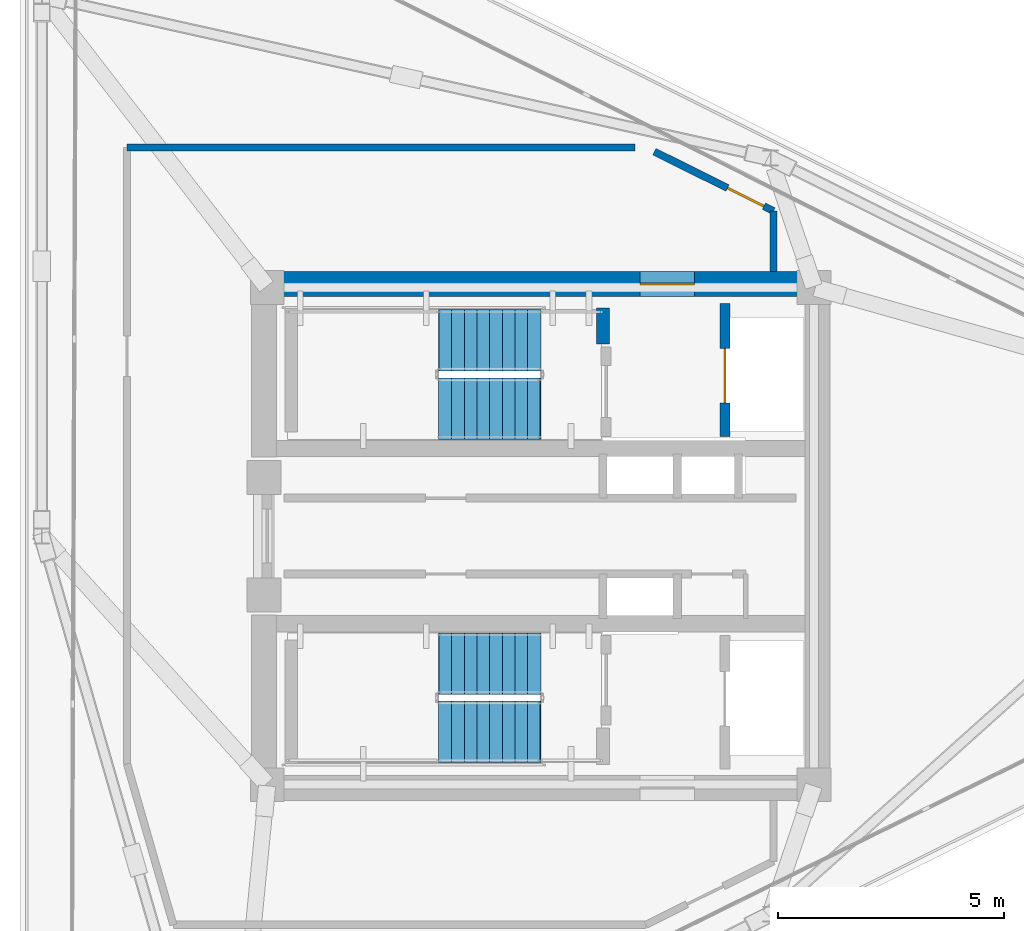
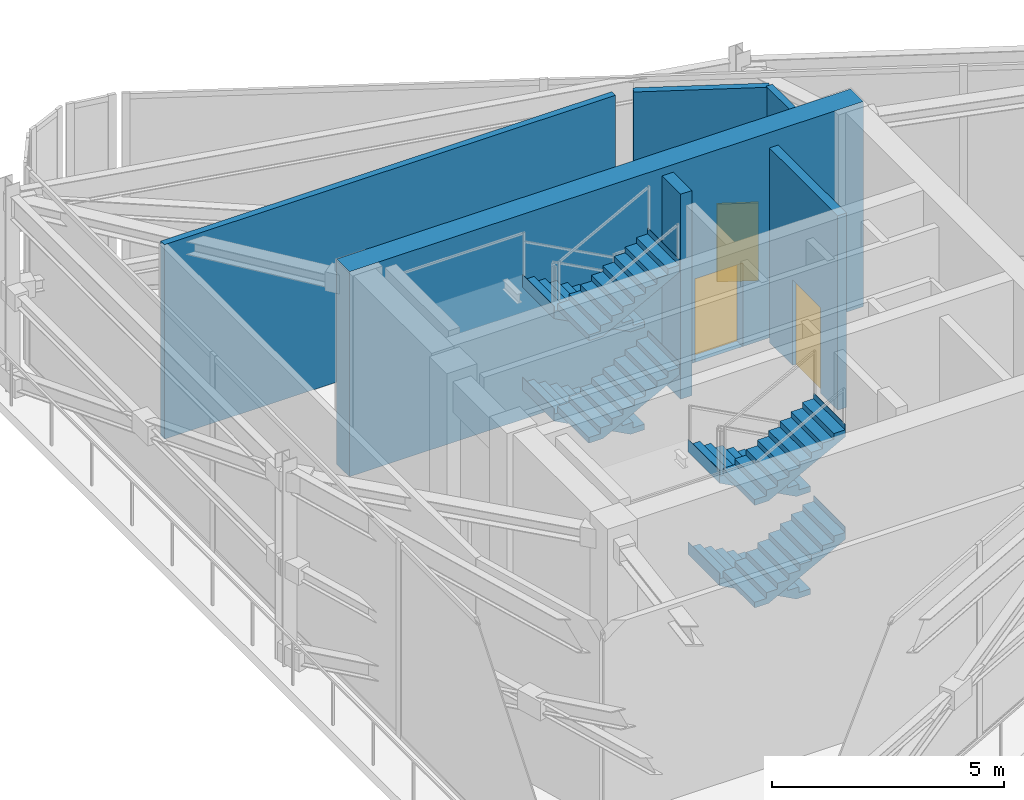
# One storey, part 5 of 9: 8 stair flights, 6 walls, 3 doors, 3 openings, 2 elements without a shape of their own.
"""IFC4 building model written with IfcOpenShell, lengths in metres."""

from ifc_helpers import new_model, si_unit, direction, frame, frame_2d, origin, place, context, subcontext, project, spatial, polyline, rectangle, outline, extrude, material, layer, layer_set, type_object, element, fill, aggregate, save


model = new_model("IFC4")

# Units and contexts
model_context = context("Model", 3, precision=1e-05, world=origin(), true_north=direction((0.0, 1.0)))
body_context = subcontext(model_context, "Body", "Model", "MODEL_VIEW")
ifc_project = project(units=[si_unit("LENGTHUNIT", "METRE"), si_unit("AREAUNIT", "SQUARE_METRE"), si_unit("VOLUMEUNIT", "CUBIC_METRE"), si_unit("PLANEANGLEUNIT", "RADIAN"), si_unit("MASSUNIT", "GRAM", prefix="KILO")], contexts=[model_context])

# Site, building, storey
site_placement = place(None, origin())
site = spatial("IfcSite", under=ifc_project, at=site_placement, CompositionType="ELEMENT")
building_placement = place(site_placement, origin())
building = spatial("IfcBuilding", under=site, at=building_placement, Name="Yunling Apex Tower", CompositionType="ELEMENT")
storey_placement = place(building_placement, frame((0.0, 0.0, 317.449951171875)))
storey = spatial("IfcBuildingStorey", under=building, at=storey_placement, Name="C01", CompositionType="ELEMENT", Elevation=317.449951171875)

# Wall, opening, door
ifc_material_1 = material(Name="Concrete C40", Category="concrete")
ifc_layer_1 = layer(ifc_material_1, 0.550048828125)
ifc_layer_set_1 = layer_set([ifc_layer_1], Name="Concrete C40")
wall_type_1 = type_object("IfcWallType", Name="WL-COR-3", PredefinedType="SHEAR", material=ifc_layer_set_1)
wall_1_placement = place(storey_placement, frame((-6.39990234375, 5.574951171875, 0.0), z_axis=(0.0, 0.0, 1.0), x_axis=(1.0, 0.0, 0.0)))
wall_1 = element("IfcWall", 1, at=wall_1_placement, inside=storey, type_object=wall_type_1, Name="C01 North Core Shear Wall", PredefinedType="SHEAR", context=body_context, shape_type="SweptSolid", body=[
    extrude(rectangle(XDim=12.7998046875, YDim=0.550048828125, at=frame_2d((6.39990234375, 0.0))), origin(), (0.0, 0.0, 1.0), 5.400146484375),
])
opening_1_placement = place(wall_1_placement, frame((8.60009765625, 0.0, 0.0)))
opening_1 = element("IfcOpeningElement", 2, at=opening_1_placement, cuts=wall_1, Name="Opening DR-FFL-1", PredefinedType="OPENING", context=body_context, shape_type="SweptSolid", body=[
    extrude(rectangle(XDim=1.199951171875, YDim=2.199951171875, at=frame_2d((0.60009765625, 1.10009765625))), frame((0.0, 0.28515625, 0.0), z_axis=(0.0, -1.0, 0.0), x_axis=(1.0, 0.0, 0.0)), (0.0, 0.0, 1.0), 0.570068359375),
])
ifc_material_2 = material(Name="Steel Q355B", Category="steel")
door_type_1 = type_object("IfcDoorType", Name="DR-FFL-1", OperationType="NOTDEFINED", PredefinedType="DOOR", material=ifc_material_2)
door_1_placement = place(opening_1_placement, origin())
door_1 = element("IfcDoor", 3, at=door_1_placement, inside=storey, type_object=door_type_1, Name="C01 North Firefighting Lobby Door", OperationType="SINGLE_SWING_LEFT", OverallHeight=2.199951171875, OverallWidth=1.199951171875, PredefinedType="DOOR", context=body_context, shape_type="SweptSolid", body=[
    extrude(rectangle(XDim=1.199951171875, YDim=2.199951171875, at=frame_2d((0.60009765625, 1.10009765625))), frame((0.0, 0.02490234375, 0.0), z_axis=(0.0, -1.0, 0.0), x_axis=(1.0, 0.0, 0.0)), (0.0, 0.0, 1.0), 0.050048828125),
])
fill(opening_1, door_1)

# Walls
ifc_layer_2 = layer(ifc_material_1, 0.280029296875)
ifc_layer_set_2 = layer_set([ifc_layer_2], Name="Concrete C40")
wall_type_2 = type_object("IfcWallType", Name="WL-COR-8", PredefinedType="SHEAR", material=ifc_layer_set_2)
wall_2_placement = place(storey_placement, frame((1.3798828125, 4.25, 0.0), z_axis=(0.0, 0.0, 1.0), x_axis=(0.0, 1.0, 0.0)))
element("IfcWall", 4, at=wall_2_placement, inside=storey, type_object=wall_type_2, Name="C01 ST-1 East Landing Bearing Pier", PredefinedType="SHEAR", context=body_context, shape_type="SweptSolid", body=[
    extrude(rectangle(XDim=0.800048828125, YDim=0.280029296875, at=frame_2d((0.39990234375, 0.0))), origin(), (0.0, 0.0, 1.0), 5.400146484375),
])
ifc_material_3 = material(Name="Gypsum board acoustic partition")
ifc_layer_3 = layer(ifc_material_3, 0.159912109375)
ifc_layer_set_3 = layer_set([ifc_layer_3], Name="Gypsum board acoustic partition")
wall_type_3 = type_object("IfcWallType", Name="WL-PRT-1", PredefinedType="PARTITIONING", material=ifc_layer_set_3)
wall_3_placement = place(storey_placement, frame((-9.14990234375, 8.60009765625, 0.0), z_axis=(0.0, 0.0, 1.0), x_axis=(1.0, 0.0, 0.0)))
element("IfcWall", 5, at=wall_3_placement, inside=storey, type_object=wall_type_3, Name="WL-C01-CPCR-03", PredefinedType="PARTITIONING", context=body_context, shape_type="SweptSolid", body=[
    extrude(rectangle(XDim=11.237060546875, YDim=0.159912109375, at=frame_2d((5.61865234375, 0.0))), origin(), (0.0, 0.0, 1.0), 5.1201171875),
])

# Wall, opening, door
wall_4_placement = place(storey_placement, frame((2.518310546875, 8.50439453125, 0.0), z_axis=(0.0, 0.0, 1.0), x_axis=(0.895206507412, -0.445651555689, 0.0)))
wall_4 = element("IfcWall", 6, at=wall_4_placement, inside=storey, type_object=wall_type_3, Name="WL-C01-CPCR-05", PredefinedType="PARTITIONING", context=body_context, shape_type="SweptSolid", body=[
    extrude(rectangle(XDim=2.939697265625, YDim=0.159912109375, at=frame_2d((1.4697265625, 0.0))), origin(), (0.0, 0.0, 1.0), 5.1201171875),
])
opening_2_placement = place(wall_4_placement, frame((1.8037109375, 0.0, 0.0)))
opening_2 = element("IfcOpeningElement", 7, at=opening_2_placement, cuts=wall_4, Name="Opening DR-SHF-1", PredefinedType="OPENING", context=body_context, shape_type="SweptSolid", body=[
    extrude(rectangle(XDim=0.89990234375, YDim=2.050048828125, at=frame_2d((0.449951171875, 1.02490234375))), frame((0.0, 0.08984375, 0.0), z_axis=(0.0, -1.0, 0.0), x_axis=(1.0, 0.0, 0.0)), (0.0, 0.0, 1.0), 0.179931640625),
])
door_type_2 = type_object("IfcDoorType", Name="DR-SHF-1", OperationType="NOTDEFINED", PredefinedType="DOOR", material=ifc_material_2)
door_2_placement = place(opening_2_placement, origin())
door_2 = element("IfcDoor", 8, at=door_2_placement, inside=storey, type_object=door_type_2, Name="C01 Enclosed Heat-Rejection Cooling Tower Plant Room Door", OperationType="SINGLE_SWING_LEFT", OverallHeight=2.050048828125, OverallWidth=0.89990234375, PredefinedType="DOOR", context=body_context, shape_type="SweptSolid", body=[
    extrude(rectangle(XDim=0.89990234375, YDim=2.050048828125, at=frame_2d((0.449951171875, 1.02490234375))), frame((0.0, 0.02490234375, 0.0), z_axis=(0.0, -1.0, 0.0), x_axis=(1.0, 0.0, 0.0)), (0.0, 0.0, 1.0), 0.050048828125),
])
fill(opening_2, door_2)

# Wall
wall_5_placement = place(storey_placement, frame((5.14990234375, 7.1943359375, 0.0), z_axis=(0.0, 0.0, 1.0), x_axis=(0.0, -1.0, 0.0)))
element("IfcWall", 9, at=wall_5_placement, inside=storey, type_object=wall_type_3, Name="WL-C01-CPCR-06", PredefinedType="PARTITIONING", context=body_context, shape_type="SweptSolid", body=[
    extrude(rectangle(XDim=1.34423828125, YDim=0.159912109375, at=frame_2d((0.672119140625, 0.0))), origin(), (0.0, 0.0, 1.0), 5.1201171875),
])

# Wall, opening, door
ifc_material_4 = material(Name="Autoclaved aerated concrete masonry", Category="masonry")
ifc_layer_4 = layer(ifc_material_4, 0.219970703125)
ifc_layer_set_4 = layer_set([ifc_layer_4], Name="Autoclaved aerated concrete masonry")
wall_type_4 = type_object("IfcWallType", Name="WL-SHF-1", PredefinedType="PLUMBINGWALL", material=ifc_layer_set_4)
wall_6_placement = place(storey_placement, frame((4.080078125, 2.199951171875, 0.0), z_axis=(0.0, 0.0, 1.0), x_axis=(0.0, 1.0, 0.0)))
wall_6 = element("IfcWall", 10, at=wall_6_placement, inside=storey, type_object=wall_type_4, Name="WL-FFL1-W-C01", PredefinedType="PLUMBINGWALL", context=body_context, shape_type="SweptSolid", body=[
    extrude(rectangle(XDim=2.949951171875, YDim=0.219970703125, at=frame_2d((1.47509765625, 0.0))), origin(), (0.0, 0.0, 1.0), 5.1201171875),
])
opening_3_placement = place(wall_6_placement, frame((0.75, 0.0, 0.0)))
opening_3 = element("IfcOpeningElement", 11, at=opening_3_placement, cuts=wall_6, Name="Opening LD-FFL-1", PredefinedType="OPENING", context=body_context, shape_type="SweptSolid", body=[
    extrude(rectangle(XDim=1.199951171875, YDim=2.25, at=frame_2d((0.60009765625, 1.125))), frame((0.0, 0.1201171875, 0.0), z_axis=(0.0, -1.0, 0.0), x_axis=(1.0, 0.0, 0.0)), (0.0, 0.0, 1.0), 0.239990234375),
])
door_type_3 = type_object("IfcDoorType", Name="LD-FFL-1", OperationType="DOUBLE_DOOR_SLIDING", PredefinedType="DOOR", material=ifc_material_2)
door_3_placement = place(opening_3_placement, origin())
door_3 = element("IfcDoor", 12, at=door_3_placement, inside=storey, type_object=door_type_3, Name="C01 Lift FFL-1 Landing Door", OperationType="DOUBLE_DOOR_SLIDING", OverallHeight=2.25, OverallWidth=1.199951171875, PredefinedType="DOOR", context=body_context, shape_type="SweptSolid", body=[
    extrude(rectangle(XDim=1.199951171875, YDim=2.25, at=frame_2d((0.60009765625, 1.125))), frame((0.0, 0.02490234375, 0.0), z_axis=(0.0, -1.0, 0.0), x_axis=(1.0, 0.0, 0.0)), (0.0, 0.0, 1.0), 0.050048828125),
])
fill(opening_3, door_3)

# Stair, stair flights
stair_type = type_object("IfcStairType", Name="ST-TWR-1", PredefinedType="HALF_TURN_STAIR", material=ifc_material_1)
stair_1_placement = place(storey_placement, origin())
stair_1 = element("IfcStair", 13, at=stair_1_placement, inside=storey, type_object=stair_type, Name="C01 North Core Smokeproof Exit Stair ST-1", PredefinedType="HALF_TURN_STAIR")
stair_flight_type = type_object("IfcStairFlightType", Name="SFL-TWR-1", PredefinedType="STRAIGHT", material=ifc_material_1)
stair_flight_1_placement = place(storey_placement, frame((-0.010009765625, 4.330078125, 0.0), z_axis=(0.0, 0.0, 1.0), x_axis=(-1.0, 0.0, 0.0)))
stair_flight_1 = element("IfcStairFlight", 14, at=stair_flight_1_placement, type_object=stair_flight_type, Name="ST-1 flight 1", NumberOfRisers=9, NumberOfTreads=8, PredefinedType="STRAIGHT", RiserHeight=0.15, TreadLength=0.28, context=body_context, shape_type="SweptSolid", body=[
    extrude(outline(polyline([(-0.011962890625, 0.0), (-0.011962890625, 0.14990234375), (0.0, 0.14990234375), (0.280029296875, 0.14990234375), (0.280029296875, 0.300048828125), (0.56005859375, 0.300048828125), (0.56005859375, 0.449951171875), (0.840087890625, 0.449951171875), (0.840087890625, 0.60009765625), (1.1201171875, 0.60009765625), (1.1201171875, 0.75), (1.39990234375, 0.75), (1.39990234375, 0.89990234375), (1.679931640625, 0.89990234375), (1.679931640625, 1.050048828125), (1.9599609375, 1.050048828125), (1.9599609375, 1.199951171875), (2.239990234375, 1.199951171875), (2.239990234375, 1.35009765625), (2.251953125, 1.35009765625), (2.251953125, 1.0185546875), (0.338623046875, 0.0), (-0.011962890625, 0.0)])), frame((0.0, 0.68017578125, 0.0), z_axis=(0.0, -1.0, 0.0), x_axis=(1.0, 0.0, 0.0)), (0.0, 0.0, 1.0), 1.360107421875),
])
stair_flight_2_placement = place(storey_placement, frame((-2.25, 2.820068359375, 1.35009765625), z_axis=(0.0, 0.0, 1.0), x_axis=(1.0, 0.0, 0.0)))
stair_flight_2 = element("IfcStairFlight", 15, at=stair_flight_2_placement, type_object=stair_flight_type, Name="ST-1 flight 2", NumberOfRisers=9, NumberOfTreads=8, PredefinedType="STRAIGHT", RiserHeight=0.15, TreadLength=0.28, context=body_context, shape_type="SweptSolid", body=[
    extrude(outline(polyline([(-0.011962890625, 0.0), (-0.011962890625, 0.14990234375), (0.0, 0.14990234375), (0.280029296875, 0.14990234375), (0.280029296875, 0.300048828125), (0.56005859375, 0.300048828125), (0.56005859375, 0.449951171875), (0.840087890625, 0.449951171875), (0.840087890625, 0.60009765625), (1.1201171875, 0.60009765625), (1.1201171875, 0.75), (1.39990234375, 0.75), (1.39990234375, 0.89990234375), (1.679931640625, 0.89990234375), (1.679931640625, 1.050048828125), (1.9599609375, 1.050048828125), (1.9599609375, 1.199951171875), (2.239990234375, 1.199951171875), (2.239990234375, 1.35009765625), (2.251953125, 1.35009765625), (2.251953125, 1.0185546875), (0.338623046875, 0.0), (-0.011962890625, 0.0)])), frame((0.0, 0.68017578125, 0.0), z_axis=(0.0, -1.0, 0.0), x_axis=(1.0, 0.0, 0.0)), (0.0, 0.0, 1.0), 1.360107421875),
])
stair_flight_3_placement = place(storey_placement, frame((-0.010009765625, 4.330078125, 2.699951171875), z_axis=(0.0, 0.0, 1.0), x_axis=(-1.0, 0.0, 0.0)))
stair_flight_3 = element("IfcStairFlight", 16, at=stair_flight_3_placement, type_object=stair_flight_type, Name="ST-1 flight 3", NumberOfRisers=9, NumberOfTreads=8, PredefinedType="STRAIGHT", RiserHeight=0.15, TreadLength=0.28, context=body_context, shape_type="SweptSolid", body=[
    extrude(outline(polyline([(-0.011962890625, 0.0), (-0.011962890625, 0.14990234375), (0.0, 0.14990234375), (0.280029296875, 0.14990234375), (0.280029296875, 0.300048828125), (0.56005859375, 0.300048828125), (0.56005859375, 0.449951171875), (0.840087890625, 0.449951171875), (0.840087890625, 0.60009765625), (1.1201171875, 0.60009765625), (1.1201171875, 0.75), (1.39990234375, 0.75), (1.39990234375, 0.89990234375), (1.679931640625, 0.89990234375), (1.679931640625, 1.050048828125), (1.9599609375, 1.050048828125), (1.9599609375, 1.199951171875), (2.239990234375, 1.199951171875), (2.239990234375, 1.35009765625), (2.251953125, 1.35009765625), (2.251953125, 1.0185546875), (0.338623046875, 0.0), (-0.011962890625, 0.0)])), frame((0.0, 0.68017578125, 0.0), z_axis=(0.0, -1.0, 0.0), x_axis=(1.0, 0.0, 0.0)), (0.0, 0.0, 1.0), 1.360107421875),
])
stair_flight_4_placement = place(storey_placement, frame((-2.25, 2.820068359375, 4.050048828125), z_axis=(0.0, 0.0, 1.0), x_axis=(1.0, 0.0, 0.0)))
stair_flight_4 = element("IfcStairFlight", 17, at=stair_flight_4_placement, type_object=stair_flight_type, Name="ST-1 flight 4", NumberOfRisers=9, NumberOfTreads=8, PredefinedType="STRAIGHT", RiserHeight=0.15, TreadLength=0.28, context=body_context, shape_type="SweptSolid", body=[
    extrude(outline(polyline([(-0.011962890625, 0.0), (-0.011962890625, 0.14990234375), (0.0, 0.14990234375), (0.280029296875, 0.14990234375), (0.280029296875, 0.300048828125), (0.56005859375, 0.300048828125), (0.56005859375, 0.449951171875), (0.840087890625, 0.449951171875), (0.840087890625, 0.60009765625), (1.1201171875, 0.60009765625), (1.1201171875, 0.75), (1.39990234375, 0.75), (1.39990234375, 0.89990234375), (1.679931640625, 0.89990234375), (1.679931640625, 1.050048828125), (1.9599609375, 1.050048828125), (1.9599609375, 1.199951171875), (2.239990234375, 1.199951171875), (2.239990234375, 1.35009765625), (2.251953125, 1.35009765625), (2.251953125, 1.0185546875), (0.338623046875, 0.0), (-0.011962890625, 0.0)])), frame((0.0, 0.68017578125, 0.0), z_axis=(0.0, -1.0, 0.0), x_axis=(1.0, 0.0, 0.0)), (0.0, 0.0, 1.0), 1.360107421875),
])
aggregate(stair_1, [stair_flight_1, stair_flight_2, stair_flight_3, stair_flight_4])

stair_2_placement = place(storey_placement, origin())
stair_2 = element("IfcStair", 18, at=stair_2_placement, inside=storey, type_object=stair_type, Name="C01 South Core Smokeproof Exit Stair ST-2", PredefinedType="HALF_TURN_STAIR")
stair_flight_5_placement = place(storey_placement, frame((-0.010009765625, -2.820068359375, 0.0), z_axis=(0.0, 0.0, 1.0), x_axis=(-1.0, 0.0, 0.0)))
stair_flight_5 = element("IfcStairFlight", 19, at=stair_flight_5_placement, type_object=stair_flight_type, Name="ST-2 flight 1", NumberOfRisers=9, NumberOfTreads=8, PredefinedType="STRAIGHT", RiserHeight=0.15, TreadLength=0.28, context=body_context, shape_type="SweptSolid", body=[
    extrude(outline(polyline([(-0.011962890625, 0.0), (-0.011962890625, 0.14990234375), (0.0, 0.14990234375), (0.280029296875, 0.14990234375), (0.280029296875, 0.300048828125), (0.56005859375, 0.300048828125), (0.56005859375, 0.449951171875), (0.840087890625, 0.449951171875), (0.840087890625, 0.60009765625), (1.1201171875, 0.60009765625), (1.1201171875, 0.75), (1.39990234375, 0.75), (1.39990234375, 0.89990234375), (1.679931640625, 0.89990234375), (1.679931640625, 1.050048828125), (1.9599609375, 1.050048828125), (1.9599609375, 1.199951171875), (2.239990234375, 1.199951171875), (2.239990234375, 1.35009765625), (2.251953125, 1.35009765625), (2.251953125, 1.0185546875), (0.338623046875, 0.0), (-0.011962890625, 0.0)])), frame((0.0, 0.68017578125, 0.0), z_axis=(0.0, -1.0, 0.0), x_axis=(1.0, 0.0, 0.0)), (0.0, 0.0, 1.0), 1.360107421875),
])
stair_flight_6_placement = place(storey_placement, frame((-2.25, -4.330078125, 1.35009765625), z_axis=(0.0, 0.0, 1.0), x_axis=(1.0, 0.0, 0.0)))
stair_flight_6 = element("IfcStairFlight", 20, at=stair_flight_6_placement, type_object=stair_flight_type, Name="ST-2 flight 2", NumberOfRisers=9, NumberOfTreads=8, PredefinedType="STRAIGHT", RiserHeight=0.15, TreadLength=0.28, context=body_context, shape_type="SweptSolid", body=[
    extrude(outline(polyline([(-0.011962890625, 0.0), (-0.011962890625, 0.14990234375), (0.0, 0.14990234375), (0.280029296875, 0.14990234375), (0.280029296875, 0.300048828125), (0.56005859375, 0.300048828125), (0.56005859375, 0.449951171875), (0.840087890625, 0.449951171875), (0.840087890625, 0.60009765625), (1.1201171875, 0.60009765625), (1.1201171875, 0.75), (1.39990234375, 0.75), (1.39990234375, 0.89990234375), (1.679931640625, 0.89990234375), (1.679931640625, 1.050048828125), (1.9599609375, 1.050048828125), (1.9599609375, 1.199951171875), (2.239990234375, 1.199951171875), (2.239990234375, 1.35009765625), (2.251953125, 1.35009765625), (2.251953125, 1.0185546875), (0.338623046875, 0.0), (-0.011962890625, 0.0)])), frame((0.0, 0.68017578125, 0.0), z_axis=(0.0, -1.0, 0.0), x_axis=(1.0, 0.0, 0.0)), (0.0, 0.0, 1.0), 1.360107421875),
])
stair_flight_7_placement = place(storey_placement, frame((-0.010009765625, -2.820068359375, 2.699951171875), z_axis=(0.0, 0.0, 1.0), x_axis=(-1.0, 0.0, 0.0)))
stair_flight_7 = element("IfcStairFlight", 21, at=stair_flight_7_placement, type_object=stair_flight_type, Name="ST-2 flight 3", NumberOfRisers=9, NumberOfTreads=8, PredefinedType="STRAIGHT", RiserHeight=0.15, TreadLength=0.28, context=body_context, shape_type="SweptSolid", body=[
    extrude(outline(polyline([(-0.011962890625, 0.0), (-0.011962890625, 0.14990234375), (0.0, 0.14990234375), (0.280029296875, 0.14990234375), (0.280029296875, 0.300048828125), (0.56005859375, 0.300048828125), (0.56005859375, 0.449951171875), (0.840087890625, 0.449951171875), (0.840087890625, 0.60009765625), (1.1201171875, 0.60009765625), (1.1201171875, 0.75), (1.39990234375, 0.75), (1.39990234375, 0.89990234375), (1.679931640625, 0.89990234375), (1.679931640625, 1.050048828125), (1.9599609375, 1.050048828125), (1.9599609375, 1.199951171875), (2.239990234375, 1.199951171875), (2.239990234375, 1.35009765625), (2.251953125, 1.35009765625), (2.251953125, 1.0185546875), (0.338623046875, 0.0), (-0.011962890625, 0.0)])), frame((0.0, 0.68017578125, 0.0), z_axis=(0.0, -1.0, 0.0), x_axis=(1.0, 0.0, 0.0)), (0.0, 0.0, 1.0), 1.360107421875),
])
stair_flight_8_placement = place(storey_placement, frame((-2.25, -4.330078125, 4.050048828125), z_axis=(0.0, 0.0, 1.0), x_axis=(1.0, 0.0, 0.0)))
stair_flight_8 = element("IfcStairFlight", 22, at=stair_flight_8_placement, type_object=stair_flight_type, Name="ST-2 flight 4", NumberOfRisers=9, NumberOfTreads=8, PredefinedType="STRAIGHT", RiserHeight=0.15, TreadLength=0.28, context=body_context, shape_type="SweptSolid", body=[
    extrude(outline(polyline([(-0.011962890625, 0.0), (-0.011962890625, 0.14990234375), (0.0, 0.14990234375), (0.280029296875, 0.14990234375), (0.280029296875, 0.300048828125), (0.56005859375, 0.300048828125), (0.56005859375, 0.449951171875), (0.840087890625, 0.449951171875), (0.840087890625, 0.60009765625), (1.1201171875, 0.60009765625), (1.1201171875, 0.75), (1.39990234375, 0.75), (1.39990234375, 0.89990234375), (1.679931640625, 0.89990234375), (1.679931640625, 1.050048828125), (1.9599609375, 1.050048828125), (1.9599609375, 1.199951171875), (2.239990234375, 1.199951171875), (2.239990234375, 1.35009765625), (2.251953125, 1.35009765625), (2.251953125, 1.0185546875), (0.338623046875, 0.0), (-0.011962890625, 0.0)])), frame((0.0, 0.68017578125, 0.0), z_axis=(0.0, -1.0, 0.0), x_axis=(1.0, 0.0, 0.0)), (0.0, 0.0, 1.0), 1.360107421875),
])
aggregate(stair_2, [stair_flight_5, stair_flight_6, stair_flight_7, stair_flight_8])

save(model, "model.ifc")
